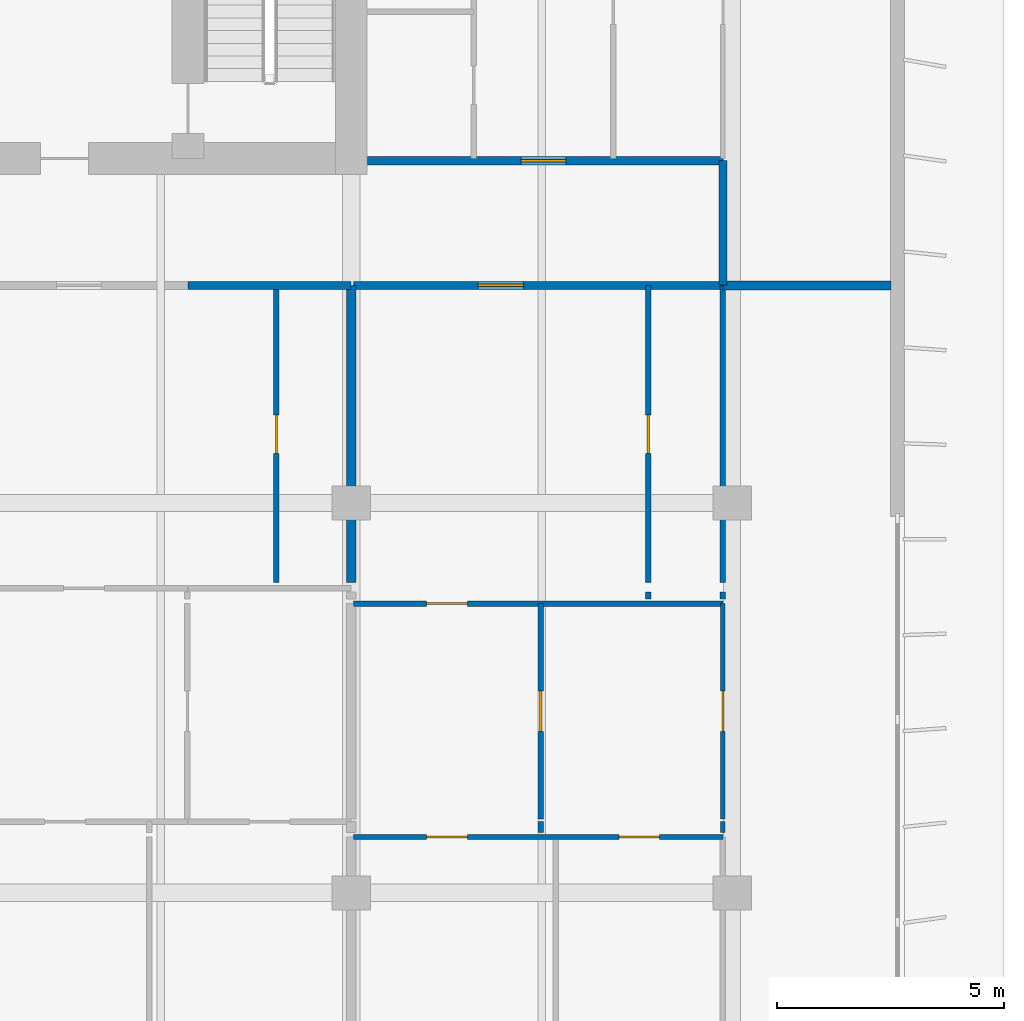
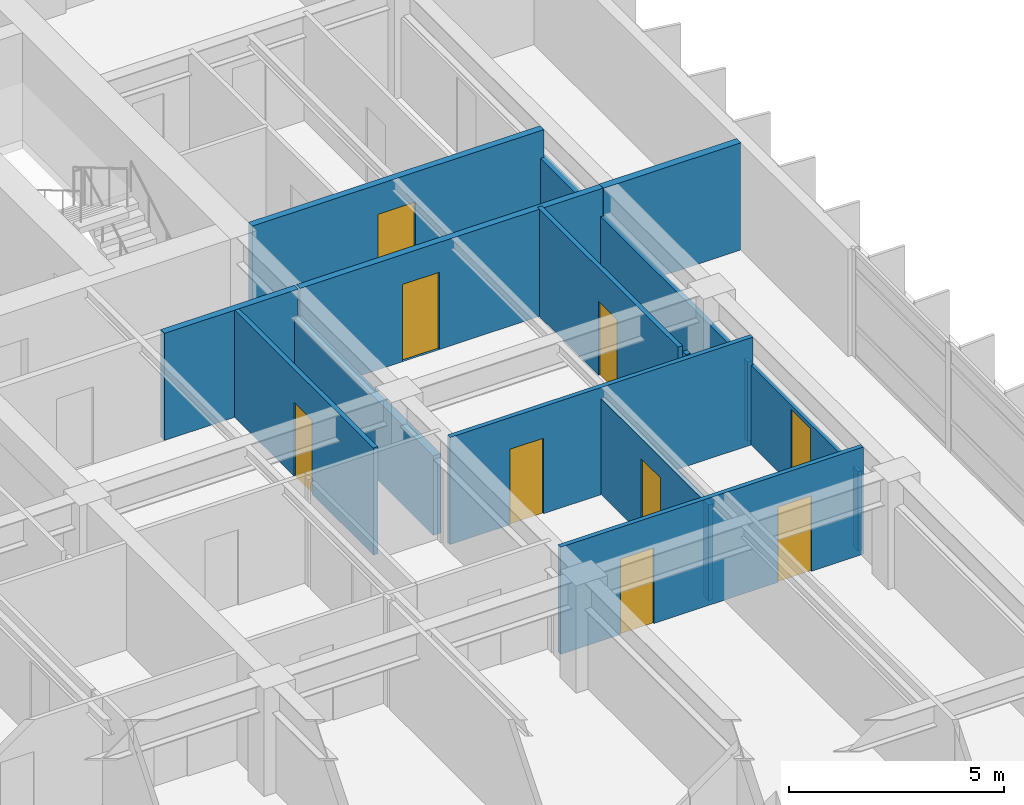
# One storey, part 11 of 17: 17 walls, 9 doors, 9 openings.
"""IFC4 building model written with IfcOpenShell, lengths in metres."""

from ifc_helpers import new_model, si_unit, direction, frame, frame_2d, origin, place, context, subcontext, project, spatial, rectangle, extrude, material, layer, layer_set, type_object, element, fill, save


model = new_model("IFC4")

# Units and contexts
model_context = context("Model", 3, precision=1e-05, world=origin(), true_north=direction((0.0, 1.0)))
body_context = subcontext(model_context, "Body", "Model", "MODEL_VIEW")
ifc_project = project(units=[si_unit("LENGTHUNIT", "METRE"), si_unit("AREAUNIT", "SQUARE_METRE"), si_unit("VOLUMEUNIT", "CUBIC_METRE"), si_unit("PLANEANGLEUNIT", "RADIAN"), si_unit("MASSUNIT", "GRAM", prefix="KILO")], contexts=[model_context])

# Site, building, storey
site_placement = place(None, origin())
site = spatial("IfcSite", under=ifc_project, at=site_placement, CompositionType="ELEMENT")
building_placement = place(site_placement, origin())
building = spatial("IfcBuilding", under=site, at=building_placement, Name="Caelmar Bay Residences", CompositionType="ELEMENT")
storey_placement = place(building_placement, frame((0.0, 0.0, 157.199951171875)))
storey = spatial("IfcBuildingStorey", under=building, at=storey_placement, Name="L43", CompositionType="ELEMENT", Elevation=157.199951171875)

# Walls
ifc_material_1 = material(Name="Double-stud acoustic fire-rated gypsum partition 180 mm")
ifc_layer_1 = layer(ifc_material_1, 0.179931640625)
ifc_layer_set_1 = layer_set([ifc_layer_1], Name="Double-stud acoustic fire-rated gypsum partition 180 mm")
wall_type_1 = type_object("IfcWallType", Name="W-COR-200", PredefinedType="PARTITIONING", material=ifc_layer_set_1)
wall_1_placement = place(storey_placement, frame((67.699951171875, 34.205078125, 0.0), z_axis=(0.0, 0.0, 1.0), x_axis=(0.0, 1.0, 0.0)))
element("IfcWall", 1, at=wall_1_placement, inside=storey, type_object=wall_type_1, Name="L43 Partition Wall V094", PredefinedType="PARTITIONING", context=body_context, shape_type="SweptSolid", body=[
    extrude(rectangle(XDim=2.744873046875, YDim=0.179931640625, at=frame_2d((1.37255859375, 0.0))), origin(), (0.0, 0.0, 1.0), 2.262939453125),
])
wall_2_placement = place(storey_placement, frame((55.89990234375, 34.199951171875, 0.0), z_axis=(0.0, 0.0, 1.0), x_axis=(1.0, 0.0, 0.0)))
element("IfcWall", 2, at=wall_2_placement, inside=storey, type_object=wall_type_1, Name="L43 Partition Wall H120", PredefinedType="PARTITIONING", context=body_context, shape_type="SweptSolid", body=[
    extrude(rectangle(XDim=3.60009765625, YDim=0.179931640625, at=frame_2d((1.800048828125, 0.0))), origin(), (0.0, 0.0, 1.0), 3.050048828125),
])

# Wall, opening, door
wall_3_placement = place(storey_placement, frame((59.550048828125, 34.199951171875, 0.0), z_axis=(0.0, 0.0, 1.0), x_axis=(1.0, 0.0, 0.0)))
wall_3 = element("IfcWall", 3, at=wall_3_placement, inside=storey, type_object=wall_type_1, Name="L43 Partition Wall H121", PredefinedType="PARTITIONING", context=body_context, shape_type="SweptSolid", body=[
    extrude(rectangle(XDim=8.14990234375, YDim=0.179931640625, at=frame_2d((4.074951171875, 0.0))), origin(), (0.0, 0.0, 1.0), 3.050048828125),
])
opening_1_placement = place(wall_3_placement, frame((2.75, 0.0, 0.0)))
opening_1 = element("IfcOpeningElement", 4, at=opening_1_placement, cuts=wall_3, Name="Opening D-L43-155", PredefinedType="OPENING", context=body_context, shape_type="SweptSolid", body=[
    extrude(rectangle(XDim=1.0, YDim=2.199951171875, at=frame_2d((0.5, 1.10009765625))), frame((0.0, 0.099853515625, 0.0), z_axis=(0.0, -1.0, 0.0), x_axis=(1.0, 0.0, 0.0)), (0.0, 0.0, 1.0), 0.199951171875),
])
ifc_material_2 = material(Name="Fire-rated steel and walnut architectural door assembly", Category="steel")
ifc_layer_2 = layer(ifc_material_2, 0.050048828125)
ifc_layer_set_2 = layer_set([ifc_layer_2], Name="Fire-rated steel and walnut architectural door assembly")
door_type_1 = type_object("IfcDoorType", Name="D-UNIT-1000", OperationType="NOTDEFINED", PredefinedType="DOOR", material=ifc_layer_set_2)
door_1_placement = place(opening_1_placement, origin())
door_1 = element("IfcDoor", 5, at=door_1_placement, inside=storey, type_object=door_type_1, Name="L43 Residence 06 Apartment Hall Door", OperationType="SINGLE_SWING_RIGHT", OverallHeight=2.199951171875, OverallWidth=1.0, PredefinedType="DOOR", context=body_context, shape_type="SweptSolid", body=[
    extrude(rectangle(XDim=1.0, YDim=2.199951171875, at=frame_2d((0.5, 1.10009765625))), frame((0.0, 0.02490234375, 0.0), z_axis=(0.0, -1.0, 0.0), x_axis=(1.0, 0.0, 0.0)), (0.0, 0.0, 1.0), 0.050048828125),
])
fill(opening_1, door_1)

wall_4_placement = place(storey_placement, frame((59.85498046875, 36.949951171875, 0.0), z_axis=(0.0, 0.0, 1.0), x_axis=(1.0, 0.0, 0.0)))
wall_4 = element("IfcWall", 6, at=wall_4_placement, inside=storey, type_object=wall_type_1, Name="L43 Partition Wall H124", PredefinedType="PARTITIONING", context=body_context, shape_type="SweptSolid", body=[
    extrude(rectangle(XDim=7.844970703125, YDim=0.179931640625, at=frame_2d((3.92236328125, 0.0))), origin(), (0.0, 0.0, 1.0), 3.050048828125),
])
opening_2_placement = place(wall_4_placement, frame((3.385009765625, 0.0, 0.0)))
opening_2 = element("IfcOpeningElement", 7, at=opening_2_placement, cuts=wall_4, Name="Opening D-L43-171", PredefinedType="OPENING", context=body_context, shape_type="SweptSolid", body=[
    extrude(rectangle(XDim=1.0, YDim=2.199951171875, at=frame_2d((0.5, 1.10009765625))), frame((0.0, 0.099853515625, 0.0), z_axis=(0.0, -1.0, 0.0), x_axis=(1.0, 0.0, 0.0)), (0.0, 0.0, 1.0), 0.199951171875),
])
door_2_placement = place(opening_2_placement, origin())
door_2 = element("IfcDoor", 8, at=door_2_placement, inside=storey, type_object=door_type_1, Name="L43 Residence EA Kitchen Door", OperationType="SINGLE_SWING_RIGHT", OverallHeight=2.199951171875, OverallWidth=1.0, PredefinedType="DOOR", context=body_context, shape_type="SweptSolid", body=[
    extrude(rectangle(XDim=1.0, YDim=2.199951171875, at=frame_2d((0.5, 1.10009765625))), frame((0.0, 0.02490234375, 0.0), z_axis=(0.0, -1.0, 0.0), x_axis=(1.0, 0.0, 0.0)), (0.0, 0.0, 1.0), 0.050048828125),
])
fill(opening_2, door_2)

# Wall
ifc_material_3 = material(Name="Anodised bronze framed acoustic sliding study partition 100 mm")
ifc_layer_3 = layer(ifc_material_3, 0.10009765625)
ifc_layer_set_3 = layer_set([ifc_layer_3], Name="Anodised bronze framed acoustic sliding study partition 100 mm")
wall_type_2 = type_object("IfcWallType", Name="W-MOV-100", PredefinedType="MOVABLE", material=ifc_layer_set_3)
wall_5_placement = place(storey_placement, frame((67.699951171875, 22.1298828125, 0.0), z_axis=(0.0, 0.0, 1.0), x_axis=(0.0, 1.0, 0.0)))
element("IfcWall", 9, at=wall_5_placement, inside=storey, type_object=wall_type_2, Name="L43 Partition Wall V090", PredefinedType="MOVABLE", context=body_context, shape_type="SweptSolid", body=[
    extrude(rectangle(XDim=0.240234375, YDim=0.10009765625, at=frame_2d((0.1201171875, 0.0))), origin(), (0.0, 0.0, 1.0), 2.262939453125),
])

# Wall, opening, door
wall_6_placement = place(storey_placement, frame((67.699951171875, 22.429931640625, 0.0), z_axis=(0.0, 0.0, 1.0), x_axis=(0.0, 1.0, 0.0)))
wall_6 = element("IfcWall", 10, at=wall_6_placement, inside=storey, type_object=wall_type_2, Name="L43 Partition Wall V091", PredefinedType="MOVABLE", context=body_context, shape_type="SweptSolid", body=[
    extrude(rectangle(XDim=4.75, YDim=0.10009765625, at=frame_2d((2.375, 0.0))), origin(), (0.0, 0.0, 1.0), 2.262939453125),
])
opening_3_placement = place(wall_6_placement, frame((1.925048828125, 0.0, 0.0)))
opening_3 = element("IfcOpeningElement", 11, at=opening_3_placement, cuts=wall_6, Name="Opening D-L43-162", PredefinedType="OPENING", context=body_context, shape_type="SweptSolid", body=[
    extrude(rectangle(XDim=0.89990234375, YDim=2.14990234375, at=frame_2d((0.449951171875, 1.074951171875))), frame((0.0, 0.06005859375, 0.0), z_axis=(0.0, -1.0, 0.0), x_axis=(1.0, 0.0, 0.0)), (0.0, 0.0, 1.0), 0.1201171875),
])
ifc_material_4 = material(Name="Solid walnut timber interior door leaf and frame", Category="wood")
ifc_layer_4 = layer(ifc_material_4, 0.050048828125)
ifc_layer_set_4 = layer_set([ifc_layer_4], Name="Solid walnut timber interior door leaf and frame")
door_type_2 = type_object("IfcDoorType", Name="D-ROOM-900", OperationType="NOTDEFINED", PredefinedType="DOOR", material=ifc_layer_set_4)
door_3_placement = place(opening_3_placement, origin())
door_3 = element("IfcDoor", 12, at=door_3_placement, inside=storey, type_object=door_type_2, Name="L43 Residence 06 Penthouse East Salon Door", OperationType="SINGLE_SWING_LEFT", OverallHeight=2.14990234375, OverallWidth=0.89990234375, PredefinedType="DOOR", context=body_context, shape_type="SweptSolid", body=[
    extrude(rectangle(XDim=0.89990234375, YDim=2.14990234375, at=frame_2d((0.449951171875, 1.074951171875))), frame((0.0, 0.02490234375, 0.0), z_axis=(0.0, -1.0, 0.0), x_axis=(1.0, 0.0, 0.0)), (0.0, 0.0, 1.0), 0.050048828125),
])
fill(opening_3, door_3)

ifc_material_5 = material(Name="Acoustic metal-stud gypsum partition 120 mm")
ifc_layer_5 = layer(ifc_material_5, 0.1201171875)
ifc_layer_set_5 = layer_set([ifc_layer_5], Name="Acoustic metal-stud gypsum partition 120 mm")
wall_type_3 = type_object("IfcWallType", Name="W-PRT-120", PredefinedType="PARTITIONING", material=ifc_layer_set_5)
wall_7_placement = place(storey_placement, frame((57.85009765625, 27.639892578125, 0.0), z_axis=(0.0, 0.0, 1.0), x_axis=(0.0, 1.0, 0.0)))
wall_7 = element("IfcWall", 13, at=wall_7_placement, inside=storey, type_object=wall_type_3, Name="L43 Partition Wall V074", PredefinedType="PARTITIONING", context=body_context, shape_type="SweptSolid", body=[
    extrude(rectangle(XDim=6.56005859375, YDim=0.1201171875, at=frame_2d((3.280029296875, 0.0))), origin(), (0.0, 0.0, 1.0), 3.050048828125),
])
opening_4_placement = place(wall_7_placement, frame((2.85498046875, 0.0, 0.0)))
opening_4 = element("IfcOpeningElement", 14, at=opening_4_placement, cuts=wall_7, Name="Opening D-L43-149", PredefinedType="OPENING", context=body_context, shape_type="SweptSolid", body=[
    extrude(rectangle(XDim=0.85009765625, YDim=2.10009765625, at=frame_2d((0.425048828125, 1.050048828125))), frame((0.0, 0.070068359375, 0.0), z_axis=(0.0, -1.0, 0.0), x_axis=(1.0, 0.0, 0.0)), (0.0, 0.0, 1.0), 0.14013671875),
])
ifc_layer_6 = layer(ifc_material_4, 0.050048828125)
ifc_layer_set_6 = layer_set([ifc_layer_6], Name="Solid walnut timber interior door leaf and frame")
door_type_3 = type_object("IfcDoorType", Name="D-BATH-850", OperationType="NOTDEFINED", PredefinedType="DOOR", material=ifc_layer_set_6)
door_4_placement = place(opening_4_placement, origin())
door_4 = element("IfcDoor", 15, at=door_4_placement, inside=storey, type_object=door_type_3, Name="L43 Residence 05 Bathroom Door", OperationType="SINGLE_SWING_RIGHT", OverallHeight=2.10009765625, OverallWidth=0.85009765625, PredefinedType="DOOR", context=body_context, shape_type="SweptSolid", body=[
    extrude(rectangle(XDim=0.85009765625, YDim=2.10009765625, at=frame_2d((0.425048828125, 1.050048828125))), frame((0.0, 0.02490234375, 0.0), z_axis=(0.0, -1.0, 0.0), x_axis=(1.0, 0.0, 0.0)), (0.0, 0.0, 1.0), 0.050048828125),
])
fill(opening_4, door_4)

# Wall
wall_8_placement = place(storey_placement, frame((63.677978515625, 22.1298828125, 0.0), z_axis=(0.0, 0.0, 1.0), x_axis=(0.0, 1.0, 0.0)))
element("IfcWall", 16, at=wall_8_placement, inside=storey, type_object=wall_type_3, Name="L43 Partition Wall V082", PredefinedType="PARTITIONING", context=body_context, shape_type="SweptSolid", body=[
    extrude(rectangle(XDim=0.240234375, YDim=0.1201171875, at=frame_2d((0.1201171875, 0.0))), origin(), (0.0, 0.0, 1.0), 2.72509765625),
])

# Wall, opening, door
wall_9_placement = place(storey_placement, frame((63.677978515625, 22.429931640625, 0.0), z_axis=(0.0, 0.0, 1.0), x_axis=(0.0, 1.0, 0.0)))
wall_9 = element("IfcWall", 17, at=wall_9_placement, inside=storey, type_object=wall_type_3, Name="L43 Partition Wall V083", PredefinedType="PARTITIONING", context=body_context, shape_type="SweptSolid", body=[
    extrude(rectangle(XDim=4.75, YDim=0.1201171875, at=frame_2d((2.375, 0.0))), origin(), (0.0, 0.0, 1.0), 2.72509765625),
])
opening_5_placement = place(wall_9_placement, frame((1.925048828125, 0.0, 0.0)))
opening_5 = element("IfcOpeningElement", 18, at=opening_5_placement, cuts=wall_9, Name="Opening D-L43-158", PredefinedType="OPENING", context=body_context, shape_type="SweptSolid", body=[
    extrude(rectangle(XDim=0.89990234375, YDim=2.14990234375, at=frame_2d((0.449951171875, 1.074951171875))), frame((0.0, 0.070068359375, 0.0), z_axis=(0.0, -1.0, 0.0), x_axis=(1.0, 0.0, 0.0)), (0.0, 0.0, 1.0), 0.14013671875),
])
door_5_placement = place(opening_5_placement, origin())
door_5 = element("IfcDoor", 19, at=door_5_placement, inside=storey, type_object=door_type_2, Name="L43 Residence 06 Study Door", OperationType="SINGLE_SWING_LEFT", OverallHeight=2.14990234375, OverallWidth=0.89990234375, PredefinedType="DOOR", context=body_context, shape_type="SweptSolid", body=[
    extrude(rectangle(XDim=0.89990234375, YDim=2.14990234375, at=frame_2d((0.449951171875, 1.074951171875))), frame((0.0, 0.02490234375, 0.0), z_axis=(0.0, -1.0, 0.0), x_axis=(1.0, 0.0, 0.0)), (0.0, 0.0, 1.0), 0.050048828125),
])
fill(opening_5, door_5)

# Wall
wall_10_placement = place(storey_placement, frame((66.050048828125, 27.280029296875, 0.0), z_axis=(0.0, 0.0, 1.0), x_axis=(0.0, 1.0, 0.0)))
element("IfcWall", 20, at=wall_10_placement, inside=storey, type_object=wall_type_3, Name="L43 Partition Wall V087", PredefinedType="PARTITIONING", context=body_context, shape_type="SweptSolid", body=[
    extrude(rectangle(XDim=0.159912109375, YDim=0.1201171875, at=frame_2d((0.080078125, 0.0))), origin(), (0.0, 0.0, 1.0), 3.050048828125),
])

# Wall, opening, door
wall_11_placement = place(storey_placement, frame((66.050048828125, 27.639892578125, 0.0), z_axis=(0.0, 0.0, 1.0), x_axis=(0.0, 1.0, 0.0)))
wall_11 = element("IfcWall", 21, at=wall_11_placement, inside=storey, type_object=wall_type_3, Name="L43 Partition Wall V088", PredefinedType="PARTITIONING", context=body_context, shape_type="SweptSolid", body=[
    extrude(rectangle(XDim=6.56005859375, YDim=0.1201171875, at=frame_2d((3.280029296875, 0.0))), origin(), (0.0, 0.0, 1.0), 3.050048828125),
])
opening_6_placement = place(wall_11_placement, frame((2.85498046875, 0.0, 0.0)))
opening_6 = element("IfcOpeningElement", 22, at=opening_6_placement, cuts=wall_11, Name="Opening D-L43-156", PredefinedType="OPENING", context=body_context, shape_type="SweptSolid", body=[
    extrude(rectangle(XDim=0.85009765625, YDim=2.10009765625, at=frame_2d((0.425048828125, 1.050048828125))), frame((0.0, 0.070068359375, 0.0), z_axis=(0.0, -1.0, 0.0), x_axis=(1.0, 0.0, 0.0)), (0.0, 0.0, 1.0), 0.14013671875),
])
door_6_placement = place(opening_6_placement, origin())
door_6 = element("IfcDoor", 23, at=door_6_placement, inside=storey, type_object=door_type_3, Name="L43 Residence 06 Bathroom Door", OperationType="SINGLE_SWING_LEFT", OverallHeight=2.10009765625, OverallWidth=0.85009765625, PredefinedType="DOOR", context=body_context, shape_type="SweptSolid", body=[
    extrude(rectangle(XDim=0.85009765625, YDim=2.10009765625, at=frame_2d((0.425048828125, 1.050048828125))), frame((0.0, 0.02490234375, 0.0), z_axis=(0.0, -1.0, 0.0), x_axis=(1.0, 0.0, 0.0)), (0.0, 0.0, 1.0), 0.050048828125),
])
fill(opening_6, door_6)

# Walls
wall_12_placement = place(storey_placement, frame((67.699951171875, 27.280029296875, 0.0), z_axis=(0.0, 0.0, 1.0), x_axis=(0.0, 1.0, 0.0)))
element("IfcWall", 24, at=wall_12_placement, inside=storey, type_object=wall_type_3, Name="L43 Partition Wall V092", PredefinedType="PARTITIONING", context=body_context, shape_type="SweptSolid", body=[
    extrude(rectangle(XDim=0.159912109375, YDim=0.1201171875, at=frame_2d((0.080078125, 0.0))), origin(), (0.0, 0.0, 1.0), 2.262939453125),
])
wall_13_placement = place(storey_placement, frame((67.699951171875, 27.639892578125, 0.0), z_axis=(0.0, 0.0, 1.0), x_axis=(0.0, 1.0, 0.0)))
element("IfcWall", 25, at=wall_13_placement, inside=storey, type_object=wall_type_3, Name="L43 Partition Wall V093", PredefinedType="PARTITIONING", context=body_context, shape_type="SweptSolid", body=[
    extrude(rectangle(XDim=6.56005859375, YDim=0.1201171875, at=frame_2d((3.280029296875, 0.0))), origin(), (0.0, 0.0, 1.0), 2.262939453125),
])

# Wall, openings, doors
wall_14_placement = place(storey_placement, frame((59.550048828125, 22.030029296875, 0.0), z_axis=(0.0, 0.0, 1.0), x_axis=(1.0, 0.0, 0.0)))
wall_14 = element("IfcWall", 26, at=wall_14_placement, inside=storey, type_object=wall_type_3, Name="L43 Partition Wall H101", PredefinedType="PARTITIONING", context=body_context, shape_type="SweptSolid", body=[
    extrude(rectangle(XDim=8.14990234375, YDim=0.1201171875, at=frame_2d((4.074951171875, 0.0))), origin(), (0.0, 0.0, 1.0), 3.050048828125),
])
opening_7_placement = place(wall_14_placement, frame((1.614013671875, 0.0, 0.0)))
opening_7 = element("IfcOpeningElement", 27, at=opening_7_placement, cuts=wall_14, Name="Opening D-L43-159", PredefinedType="OPENING", context=body_context, shape_type="SweptSolid", body=[
    extrude(rectangle(XDim=0.89990234375, YDim=2.14990234375, at=frame_2d((0.449951171875, 1.074951171875))), frame((0.0, 0.070068359375, 0.0), z_axis=(0.0, -1.0, 0.0), x_axis=(1.0, 0.0, 0.0)), (0.0, 0.0, 1.0), 0.14013671875),
])
opening_8_placement = place(wall_14_placement, frame((5.85498046875, 0.0, 0.0)))
opening_8 = element("IfcOpeningElement", 28, at=opening_8_placement, cuts=wall_14, Name="Opening D-L43-160", PredefinedType="OPENING", context=body_context, shape_type="SweptSolid", body=[
    extrude(rectangle(XDim=0.89990234375, YDim=2.14990234375, at=frame_2d((0.449951171875, 1.074951171875))), frame((0.0, 0.070068359375, 0.0), z_axis=(0.0, -1.0, 0.0), x_axis=(1.0, 0.0, 0.0)), (0.0, 0.0, 1.0), 0.14013671875),
])
door_7_placement = place(opening_7_placement, origin())
door_7 = element("IfcDoor", 29, at=door_7_placement, inside=storey, type_object=door_type_2, Name="L43 Residence 06 Living Room Door", OperationType="SINGLE_SWING_RIGHT", OverallHeight=2.14990234375, OverallWidth=0.89990234375, PredefinedType="DOOR", context=body_context, shape_type="SweptSolid", body=[
    extrude(rectangle(XDim=0.89990234375, YDim=2.14990234375, at=frame_2d((0.449951171875, 1.074951171875))), frame((0.0, 0.02490234375, 0.0), z_axis=(0.0, -1.0, 0.0), x_axis=(1.0, 0.0, 0.0)), (0.0, 0.0, 1.0), 0.050048828125),
])
fill(opening_7, door_7)
door_8_placement = place(opening_8_placement, origin())
door_8 = element("IfcDoor", 30, at=door_8_placement, inside=storey, type_object=door_type_2, Name="L43 Residence 06 Primary Bedroom Door", OperationType="SINGLE_SWING_LEFT", OverallHeight=2.14990234375, OverallWidth=0.89990234375, PredefinedType="DOOR", context=body_context, shape_type="SweptSolid", body=[
    extrude(rectangle(XDim=0.89990234375, YDim=2.14990234375, at=frame_2d((0.449951171875, 1.074951171875))), frame((0.0, 0.02490234375, 0.0), z_axis=(0.0, -1.0, 0.0), x_axis=(1.0, 0.0, 0.0)), (0.0, 0.0, 1.0), 0.050048828125),
])
fill(opening_8, door_8)

# Wall, opening, door
wall_15_placement = place(storey_placement, frame((59.550048828125, 27.179931640625, 0.0), z_axis=(0.0, 0.0, 1.0), x_axis=(1.0, 0.0, 0.0)))
wall_15 = element("IfcWall", 31, at=wall_15_placement, inside=storey, type_object=wall_type_3, Name="L43 Partition Wall H109", PredefinedType="PARTITIONING", context=body_context, shape_type="SweptSolid", body=[
    extrude(rectangle(XDim=8.14990234375, YDim=0.1201171875, at=frame_2d((4.074951171875, 0.0))), origin(), (0.0, 0.0, 1.0), 3.050048828125),
])
opening_9_placement = place(wall_15_placement, frame((1.614013671875, 0.0, 0.0)))
opening_9 = element("IfcOpeningElement", 32, at=opening_9_placement, cuts=wall_15, Name="Opening D-L43-157", PredefinedType="OPENING", context=body_context, shape_type="SweptSolid", body=[
    extrude(rectangle(XDim=0.89990234375, YDim=2.14990234375, at=frame_2d((0.449951171875, 1.074951171875))), frame((0.0, 0.070068359375, 0.0), z_axis=(0.0, -1.0, 0.0), x_axis=(1.0, 0.0, 0.0)), (0.0, 0.0, 1.0), 0.14013671875),
])
door_9_placement = place(opening_9_placement, origin())
door_9 = element("IfcDoor", 33, at=door_9_placement, inside=storey, type_object=door_type_2, Name="L43 Residence 06 Kitchen Door", OperationType="SINGLE_SWING_RIGHT", OverallHeight=2.14990234375, OverallWidth=0.89990234375, PredefinedType="DOOR", context=body_context, shape_type="SweptSolid", body=[
    extrude(rectangle(XDim=0.89990234375, YDim=2.14990234375, at=frame_2d((0.449951171875, 1.074951171875))), frame((0.0, 0.02490234375, 0.0), z_axis=(0.0, -1.0, 0.0), x_axis=(1.0, 0.0, 0.0)), (0.0, 0.0, 1.0), 0.050048828125),
])
fill(opening_9, door_9)

# Walls
ifc_material_6 = material(Name="Acoustic twin-stud fire-rated inter-tenancy partition 200 mm")
ifc_layer_7 = layer(ifc_material_6, 0.199951171875)
ifc_layer_set_7 = layer_set([ifc_layer_7], Name="Acoustic twin-stud fire-rated inter-tenancy partition 200 mm")
wall_type_4 = type_object("IfcWallType", Name="W-PTY-200", PredefinedType="PARTITIONING", material=ifc_layer_set_7)
wall_16_placement = place(storey_placement, frame((59.5, 27.639892578125, 0.0), z_axis=(0.0, 0.0, 1.0), x_axis=(0.0, 1.0, 0.0)))
element("IfcWall", 34, at=wall_16_placement, inside=storey, type_object=wall_type_4, Name="L43 Partition Wall V080", PredefinedType="PARTITIONING", context=body_context, shape_type="SweptSolid", body=[
    extrude(rectangle(XDim=6.56005859375, YDim=0.199951171875, at=frame_2d((3.280029296875, 0.0))), origin(), (0.0, 0.0, 1.0), 2.262939453125),
])
wall_17_placement = place(storey_placement, frame((67.705078125, 34.199951171875, 0.0), z_axis=(0.0, 0.0, 1.0), x_axis=(1.0, 0.0, 0.0)))
element("IfcWall", 35, at=wall_17_placement, inside=storey, type_object=wall_type_4, Name="L43 Partition Wall H122", PredefinedType="PARTITIONING", context=body_context, shape_type="SweptSolid", body=[
    extrude(rectangle(XDim=3.699951171875, YDim=0.199951171875, at=frame_2d((1.85009765625, 0.0))), origin(), (0.0, 0.0, 1.0), 3.050048828125),
])

save(model, "model.ifc")
